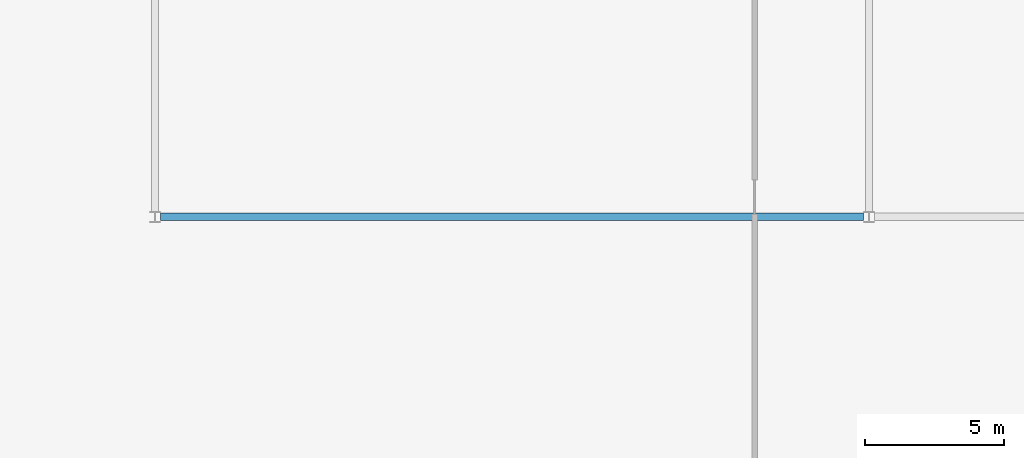
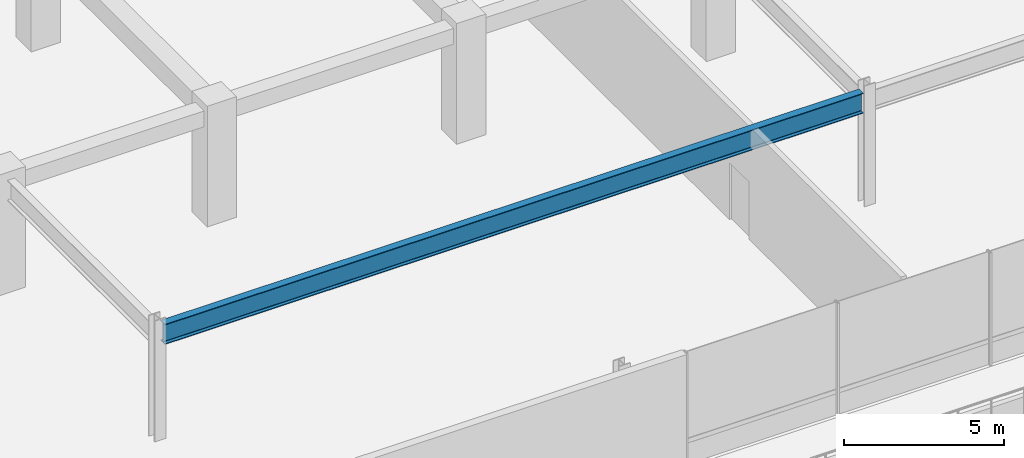
# One storey, part 9 of 45: 1 beam.
"""IFC4 building model written with IfcOpenShell, lengths in metres."""

from ifc_helpers import new_model, si_unit, direction, frame, origin, origin_2d, place, context, subcontext, project, spatial, i_section, extrude, material, material_profile, profile_set, type_object, element, save


model = new_model("IFC4")

# Units and contexts
model_context = context("Model", 3, precision=1e-05, world=origin(), true_north=direction((0.0, 1.0)))
body_context = subcontext(model_context, "Body", "Model", "MODEL_VIEW")
ifc_project = project(units=[si_unit("LENGTHUNIT", "METRE"), si_unit("AREAUNIT", "SQUARE_METRE"), si_unit("VOLUMEUNIT", "CUBIC_METRE"), si_unit("PLANEANGLEUNIT", "RADIAN"), si_unit("MASSUNIT", "GRAM", prefix="KILO")], contexts=[model_context])

# Site, building, storey
site_placement = place(None, origin())
site = spatial("IfcSite", under=ifc_project, at=site_placement, CompositionType="ELEMENT")
building_placement = place(site_placement, origin())
building = spatial("IfcBuilding", under=site, at=building_placement, Name="Korimba Cascade Residences", CompositionType="ELEMENT")
storey_placement = place(building_placement, frame((0.0, 0.0, 5.39990234375)))
storey = spatial("IfcBuildingStorey", under=building, at=storey_placement, Name="L01", CompositionType="ELEMENT", Elevation=5.39990234375)

# Beam
ifc_material = material(Name="Steel S355", Category="steel")
ifc_material_profile = material_profile(ifc_material, i_section(OverallWidth=0.26806640625, OverallDepth=0.769775390625, WebThickness=0.015625, FlangeThickness=0.025390625, FilletRadius=0.0166015625, at=origin_2d()), Name="Steel S355")
ifc_profile_set = profile_set([ifc_material_profile], Name="Steel S355")
beam_type = type_object("IfcBeamType", Name="BM-STL-UB762", PredefinedType="BEAM", material=ifc_profile_set)
beam_placement = place(storey_placement, frame((74.699462890625, -13.800048828125, 3.915283203125), z_axis=(1.0, 0.0, 0.0), x_axis=(0.0, 1.0, 0.0)))
element("IfcBeam", 1, at=beam_placement, inside=storey, type_object=beam_type, Name="L01 Podium Frame Girder SH1", PredefinedType="BEAM", context=body_context, shape_type="SweptSolid", body=[
    extrude(i_section(OverallWidth=0.26806640625, OverallDepth=0.769775390625, WebThickness=0.015625, FlangeThickness=0.025390625, FilletRadius=0.0166015625, at=origin_2d()), origin(), (0.0, 0.0, 1.0), 25.200927734375),
])

save(model, "model.ifc")
